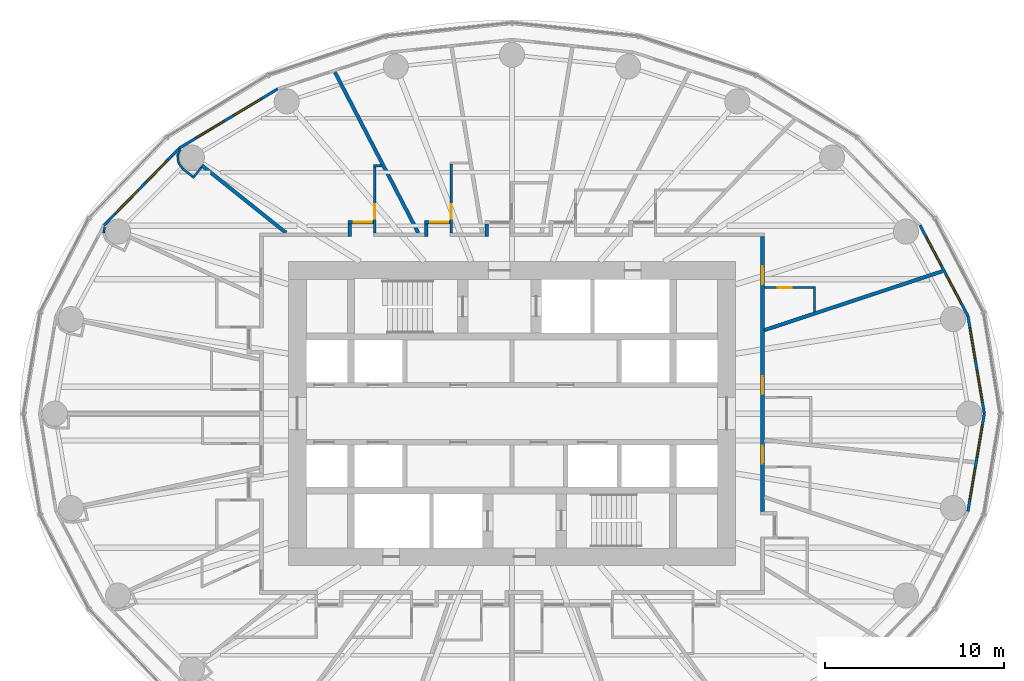
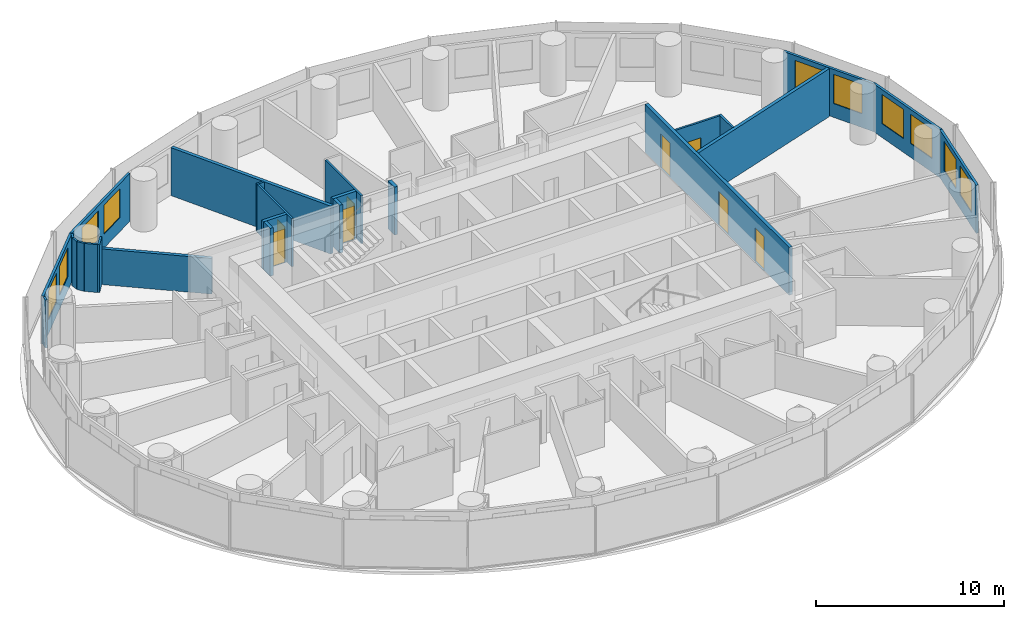
# One storey, part 11 of 14: 25 walls, 10 windows, 8 doors, 18 openings.
"""IFC4 building model written with IfcOpenShell, lengths in metres."""

from ifc_helpers import new_model, si_unit, direction, frame, frame_2d, origin, place, context, subcontext, project, spatial, rectangle, extrude, material, layer, layer_set, type_object, element, fill, save


model = new_model("IFC4")

# Units and contexts
model_context = context("Model", 3, precision=1e-05, world=origin(), true_north=direction((0.0, 1.0)))
body_context = subcontext(model_context, "Body", "Model", "MODEL_VIEW")
ifc_project = project(units=[si_unit("LENGTHUNIT", "METRE"), si_unit("AREAUNIT", "SQUARE_METRE"), si_unit("VOLUMEUNIT", "CUBIC_METRE"), si_unit("PLANEANGLEUNIT", "RADIAN"), si_unit("MASSUNIT", "GRAM", prefix="KILO")], contexts=[model_context])

# Site, building, storey
site_placement = place(None, origin())
site = spatial("IfcSite", under=ifc_project, at=site_placement, CompositionType="ELEMENT")
building_placement = place(site_placement, origin())
building = spatial("IfcBuilding", under=site, at=building_placement, Name="Hankou Lantern Tower", CompositionType="ELEMENT")
storey_placement = place(building_placement, frame((0.0, 0.0, 50.699951171875)))
storey = spatial("IfcBuildingStorey", under=building, at=storey_placement, Name="L11", CompositionType="ELEMENT", Elevation=50.699951171875)

# Wall, openings, windows
ifc_material_1 = material(Name="Aluminium spandrel panel on steel studs", Category="steel")
ifc_layer_1 = layer(ifc_material_1, 0.14990234375)
ifc_layer_set_1 = layer_set([ifc_layer_1], Name="Aluminium spandrel panel on steel studs")
wall_type_1 = type_object("IfcWallType", Name="EW1 INNER SKIN WALL 150", PredefinedType="ELEMENTEDWALL", material=ifc_layer_set_1)
wall_1_placement = place(storey_placement, frame((26.39990234375, 0.0, 0.0), z_axis=(0.0, 0.0, 1.0), x_axis=(-0.165642551694, 0.986185857264, 0.0)))
wall_1 = element("IfcWall", 1, at=wall_1_placement, inside=storey, type_object=wall_type_1, Name="Inner skin R01-R02 L11", PredefinedType="ELEMENTEDWALL", context=body_context, shape_type="SweptSolid", body=[
    extrude(rectangle(XDim=5.538818359375, YDim=0.14990234375, at=frame_2d((2.76953125, 0.0))), origin(), (0.0, 0.0, 1.0), 3.1201171875),
])
opening_1_placement = place(wall_1_placement, frame((0.66943359375, 0.0, 0.89990234375)))
opening_1 = element("IfcOpeningElement", 2, at=opening_1_placement, cuts=wall_1, Name="Opening W1", PredefinedType="OPENING", context=body_context, shape_type="SweptSolid", body=[
    extrude(rectangle(XDim=1.800048828125, YDim=1.89990234375, at=frame_2d((0.89990234375, 0.949951171875))), frame((0.0, 0.0849609375, 0.0), z_axis=(0.0, -1.0, 0.0), x_axis=(1.0, 0.0, 0.0)), (0.0, 0.0, 1.0), 0.169921875),
])
opening_2_placement = place(wall_1_placement, frame((3.069580078125, 0.0, 0.89990234375)))
opening_2 = element("IfcOpeningElement", 3, at=opening_2_placement, cuts=wall_1, Name="Opening W1", PredefinedType="OPENING", context=body_context, shape_type="SweptSolid", body=[
    extrude(rectangle(XDim=1.800048828125, YDim=1.89990234375, at=frame_2d((0.89990234375, 0.949951171875))), frame((0.0, 0.0849609375, 0.0), z_axis=(0.0, -1.0, 0.0), x_axis=(1.0, 0.0, 0.0)), (0.0, 0.0, 1.0), 0.169921875),
])
ifc_material_2 = material(Name="Aluminium framed double glazed window", Category="aluminium")
window_type = type_object("IfcWindowType", Name="W1 GUEST ROOM WINDOW 1800X1900", PartitioningType="DOUBLE_PANEL_VERTICAL", PredefinedType="WINDOW", material=ifc_material_2)
window_1_placement = place(opening_1_placement, origin())
window_1 = element("IfcWindow", 4, at=window_1_placement, inside=storey, type_object=window_type, Name="Window R01.1 L11", OverallHeight=1.89990234375, OverallWidth=1.800048828125, PartitioningType="SINGLE_PANEL", PredefinedType="WINDOW", context=body_context, shape_type="SweptSolid", body=[
    extrude(rectangle(XDim=1.800048828125, YDim=1.89990234375, at=frame_2d((0.89990234375, 0.949951171875))), frame((0.0, 0.030029296875, 0.0), z_axis=(0.0, -1.0, 0.0), x_axis=(1.0, 0.0, 0.0)), (0.0, 0.0, 1.0), 0.06005859375),
])
fill(opening_1, window_1)
window_2_placement = place(opening_2_placement, origin())
window_2 = element("IfcWindow", 5, at=window_2_placement, inside=storey, type_object=window_type, Name="Window R01.2 L11", OverallHeight=1.89990234375, OverallWidth=1.800048828125, PartitioningType="SINGLE_PANEL", PredefinedType="WINDOW", context=body_context, shape_type="SweptSolid", body=[
    extrude(rectangle(XDim=1.800048828125, YDim=1.89990234375, at=frame_2d((0.89990234375, 0.949951171875))), frame((0.0, 0.030029296875, 0.0), z_axis=(0.0, -1.0, 0.0), x_axis=(1.0, 0.0, 0.0)), (0.0, 0.0, 1.0), 0.06005859375),
])
fill(opening_2, window_2)

wall_2_placement = place(storey_placement, frame((25.482421875, 5.46240234375, 0.0), z_axis=(0.0, 0.0, 1.0), x_axis=(-0.467296867008, 0.884100468321, 0.0)))
wall_2 = element("IfcWall", 6, at=wall_2_placement, inside=storey, type_object=wall_type_1, Name="Inner skin R02-R03 L11", PredefinedType="ELEMENTEDWALL", context=body_context, shape_type="SweptSolid", body=[
    extrude(rectangle(XDim=5.734375, YDim=0.14990234375, at=frame_2d((2.8671875, 0.0))), origin(), (0.0, 0.0, 1.0), 3.1201171875),
])
opening_3_placement = place(wall_2_placement, frame((0.76708984375, 0.0, 0.89990234375)))
opening_3 = element("IfcOpeningElement", 7, at=opening_3_placement, cuts=wall_2, Name="Opening W1", PredefinedType="OPENING", context=body_context, shape_type="SweptSolid", body=[
    extrude(rectangle(XDim=1.800048828125, YDim=1.89990234375, at=frame_2d((0.89990234375, 0.949951171875))), frame((0.0, 0.0849609375, 0.0), z_axis=(0.0, -1.0, 0.0), x_axis=(1.0, 0.0, 0.0)), (0.0, 0.0, 1.0), 0.169921875),
])
opening_4_placement = place(wall_2_placement, frame((3.167236328125, 0.0, 0.89990234375)))
opening_4 = element("IfcOpeningElement", 8, at=opening_4_placement, cuts=wall_2, Name="Opening W1", PredefinedType="OPENING", context=body_context, shape_type="SweptSolid", body=[
    extrude(rectangle(XDim=1.800048828125, YDim=1.89990234375, at=frame_2d((0.89990234375, 0.949951171875))), frame((0.0, 0.0849609375, 0.0), z_axis=(0.0, -1.0, 0.0), x_axis=(1.0, 0.0, 0.0)), (0.0, 0.0, 1.0), 0.169921875),
])
window_3_placement = place(opening_3_placement, origin())
window_3 = element("IfcWindow", 9, at=window_3_placement, inside=storey, type_object=window_type, Name="Window R02.1 L11", OverallHeight=1.89990234375, OverallWidth=1.800048828125, PartitioningType="SINGLE_PANEL", PredefinedType="WINDOW", context=body_context, shape_type="SweptSolid", body=[
    extrude(rectangle(XDim=1.800048828125, YDim=1.89990234375, at=frame_2d((0.89990234375, 0.949951171875))), frame((0.0, 0.030029296875, 0.0), z_axis=(0.0, -1.0, 0.0), x_axis=(1.0, 0.0, 0.0)), (0.0, 0.0, 1.0), 0.06005859375),
])
fill(opening_3, window_3)
window_4_placement = place(opening_4_placement, origin())
window_4 = element("IfcWindow", 10, at=window_4_placement, inside=storey, type_object=window_type, Name="Window R02.2 L11", OverallHeight=1.89990234375, OverallWidth=1.800048828125, PartitioningType="SINGLE_PANEL", PredefinedType="WINDOW", context=body_context, shape_type="SweptSolid", body=[
    extrude(rectangle(XDim=1.800048828125, YDim=1.89990234375, at=frame_2d((0.89990234375, 0.949951171875))), frame((0.0, 0.030029296875, 0.0), z_axis=(0.0, -1.0, 0.0), x_axis=(1.0, 0.0, 0.0)), (0.0, 0.0, 1.0), 0.06005859375),
])
fill(opening_4, window_4)

wall_3_placement = place(storey_placement, frame((-13.096435546875, 18.14697265625, 0.0), z_axis=(0.0, 0.0, 1.0), x_axis=(-0.856983180864, -0.515344377787, 0.0)))
wall_3 = element("IfcWall", 11, at=wall_3_placement, inside=storey, type_object=wall_type_1, Name="Inner skin R09-R10 L11", PredefinedType="ELEMENTEDWALL", context=body_context, shape_type="SweptSolid", body=[
    extrude(rectangle(XDim=6.386474609375, YDim=0.14990234375, at=frame_2d((3.193359375, 0.0))), origin(), (0.0, 0.0, 1.0), 3.1201171875),
])
opening_5_placement = place(wall_3_placement, frame((1.09326171875, 0.0, 0.89990234375)))
opening_5 = element("IfcOpeningElement", 12, at=opening_5_placement, cuts=wall_3, Name="Opening W1", PredefinedType="OPENING", context=body_context, shape_type="SweptSolid", body=[
    extrude(rectangle(XDim=1.800048828125, YDim=1.89990234375, at=frame_2d((0.89990234375, 0.949951171875))), frame((0.0, 0.0849609375, 0.0), z_axis=(0.0, -1.0, 0.0), x_axis=(1.0, 0.0, 0.0)), (0.0, 0.0, 1.0), 0.169921875),
])
opening_6_placement = place(wall_3_placement, frame((3.4931640625, 0.0, 0.89990234375)))
opening_6 = element("IfcOpeningElement", 13, at=opening_6_placement, cuts=wall_3, Name="Opening W1", PredefinedType="OPENING", context=body_context, shape_type="SweptSolid", body=[
    extrude(rectangle(XDim=1.800048828125, YDim=1.89990234375, at=frame_2d((0.89990234375, 0.949951171875))), frame((0.0, 0.0849609375, 0.0), z_axis=(0.0, -1.0, 0.0), x_axis=(1.0, 0.0, 0.0)), (0.0, 0.0, 1.0), 0.169921875),
])
window_5_placement = place(opening_5_placement, origin())
window_5 = element("IfcWindow", 14, at=window_5_placement, inside=storey, type_object=window_type, Name="Window R09.1 L11", OverallHeight=1.89990234375, OverallWidth=1.800048828125, PartitioningType="SINGLE_PANEL", PredefinedType="WINDOW", context=body_context, shape_type="SweptSolid", body=[
    extrude(rectangle(XDim=1.800048828125, YDim=1.89990234375, at=frame_2d((0.89990234375, 0.949951171875))), frame((0.0, 0.030029296875, 0.0), z_axis=(0.0, -1.0, 0.0), x_axis=(1.0, 0.0, 0.0)), (0.0, 0.0, 1.0), 0.06005859375),
])
fill(opening_5, window_5)
window_6_placement = place(opening_6_placement, origin())
window_6 = element("IfcWindow", 15, at=window_6_placement, inside=storey, type_object=window_type, Name="Window R09.2 L11", OverallHeight=1.89990234375, OverallWidth=1.800048828125, PartitioningType="SINGLE_PANEL", PredefinedType="WINDOW", context=body_context, shape_type="SweptSolid", body=[
    extrude(rectangle(XDim=1.800048828125, YDim=1.89990234375, at=frame_2d((0.89990234375, 0.949951171875))), frame((0.0, 0.030029296875, 0.0), z_axis=(0.0, -1.0, 0.0), x_axis=(1.0, 0.0, 0.0)), (0.0, 0.0, 1.0), 0.06005859375),
])
fill(opening_6, window_6)

wall_4_placement = place(storey_placement, frame((-18.569580078125, 14.855712890625, 0.0), z_axis=(0.0, 0.0, 1.0), x_axis=(-0.699602905915, -0.714531856557, 0.0)))
wall_4 = element("IfcWall", 16, at=wall_4_placement, inside=storey, type_object=wall_type_1, Name="Inner skin R10-R11 L11", PredefinedType="ELEMENTEDWALL", context=body_context, shape_type="SweptSolid", body=[
    extrude(rectangle(XDim=6.05078125, YDim=0.14990234375, at=frame_2d((3.025390625, 0.0))), origin(), (0.0, 0.0, 1.0), 3.1201171875),
])
opening_7_placement = place(wall_4_placement, frame((0.925537109375, 0.0, 0.89990234375)))
opening_7 = element("IfcOpeningElement", 17, at=opening_7_placement, cuts=wall_4, Name="Opening W1", PredefinedType="OPENING", context=body_context, shape_type="SweptSolid", body=[
    extrude(rectangle(XDim=1.800048828125, YDim=1.89990234375, at=frame_2d((0.89990234375, 0.949951171875))), frame((0.0, 0.0849609375, 0.0), z_axis=(0.0, -1.0, 0.0), x_axis=(1.0, 0.0, 0.0)), (0.0, 0.0, 1.0), 0.169921875),
])
opening_8_placement = place(wall_4_placement, frame((3.325439453125, 0.0, 0.89990234375)))
opening_8 = element("IfcOpeningElement", 18, at=opening_8_placement, cuts=wall_4, Name="Opening W1", PredefinedType="OPENING", context=body_context, shape_type="SweptSolid", body=[
    extrude(rectangle(XDim=1.800048828125, YDim=1.89990234375, at=frame_2d((0.89990234375, 0.949951171875))), frame((0.0, 0.0849609375, 0.0), z_axis=(0.0, -1.0, 0.0), x_axis=(1.0, 0.0, 0.0)), (0.0, 0.0, 1.0), 0.169921875),
])
window_7_placement = place(opening_7_placement, origin())
window_7 = element("IfcWindow", 19, at=window_7_placement, inside=storey, type_object=window_type, Name="Window R10.1 L11", OverallHeight=1.89990234375, OverallWidth=1.800048828125, PartitioningType="SINGLE_PANEL", PredefinedType="WINDOW", context=body_context, shape_type="SweptSolid", body=[
    extrude(rectangle(XDim=1.800048828125, YDim=1.89990234375, at=frame_2d((0.89990234375, 0.949951171875))), frame((0.0, 0.030029296875, 0.0), z_axis=(0.0, -1.0, 0.0), x_axis=(1.0, 0.0, 0.0)), (0.0, 0.0, 1.0), 0.06005859375),
])
fill(opening_7, window_7)
window_8_placement = place(opening_8_placement, origin())
window_8 = element("IfcWindow", 20, at=window_8_placement, inside=storey, type_object=window_type, Name="Window R10.2 L11", OverallHeight=1.89990234375, OverallWidth=1.800048828125, PartitioningType="SINGLE_PANEL", PredefinedType="WINDOW", context=body_context, shape_type="SweptSolid", body=[
    extrude(rectangle(XDim=1.800048828125, YDim=1.89990234375, at=frame_2d((0.89990234375, 0.949951171875))), frame((0.0, 0.030029296875, 0.0), z_axis=(0.0, -1.0, 0.0), x_axis=(1.0, 0.0, 0.0)), (0.0, 0.0, 1.0), 0.06005859375),
])
fill(opening_8, window_8)

wall_5_placement = place(storey_placement, frame((25.482421875, -5.46240234375, 0.0), z_axis=(0.0, 0.0, 1.0), x_axis=(0.165642551694, 0.986185857264, 0.0)))
wall_5 = element("IfcWall", 21, at=wall_5_placement, inside=storey, type_object=wall_type_1, Name="Inner skin R24-R01 L11", PredefinedType="ELEMENTEDWALL", context=body_context, shape_type="SweptSolid", body=[
    extrude(rectangle(XDim=5.538818359375, YDim=0.14990234375, at=frame_2d((2.76953125, 0.0))), origin(), (0.0, 0.0, 1.0), 3.1201171875),
])
opening_9_placement = place(wall_5_placement, frame((0.66943359375, 0.0, 0.89990234375)))
opening_9 = element("IfcOpeningElement", 22, at=opening_9_placement, cuts=wall_5, Name="Opening W1", PredefinedType="OPENING", context=body_context, shape_type="SweptSolid", body=[
    extrude(rectangle(XDim=1.800048828125, YDim=1.89990234375, at=frame_2d((0.89990234375, 0.949951171875))), frame((0.0, 0.0849609375, 0.0), z_axis=(0.0, -1.0, 0.0), x_axis=(1.0, 0.0, 0.0)), (0.0, 0.0, 1.0), 0.169921875),
])
opening_10_placement = place(wall_5_placement, frame((3.069580078125, 0.0, 0.89990234375)))
opening_10 = element("IfcOpeningElement", 23, at=opening_10_placement, cuts=wall_5, Name="Opening W1", PredefinedType="OPENING", context=body_context, shape_type="SweptSolid", body=[
    extrude(rectangle(XDim=1.800048828125, YDim=1.89990234375, at=frame_2d((0.89990234375, 0.949951171875))), frame((0.0, 0.0849609375, 0.0), z_axis=(0.0, -1.0, 0.0), x_axis=(1.0, 0.0, 0.0)), (0.0, 0.0, 1.0), 0.169921875),
])
window_9_placement = place(opening_9_placement, origin())
window_9 = element("IfcWindow", 24, at=window_9_placement, inside=storey, type_object=window_type, Name="Window R24.1 L11", OverallHeight=1.89990234375, OverallWidth=1.800048828125, PartitioningType="SINGLE_PANEL", PredefinedType="WINDOW", context=body_context, shape_type="SweptSolid", body=[
    extrude(rectangle(XDim=1.800048828125, YDim=1.89990234375, at=frame_2d((0.89990234375, 0.949951171875))), frame((0.0, 0.030029296875, 0.0), z_axis=(0.0, -1.0, 0.0), x_axis=(1.0, 0.0, 0.0)), (0.0, 0.0, 1.0), 0.06005859375),
])
fill(opening_9, window_9)
window_10_placement = place(opening_10_placement, origin())
window_10 = element("IfcWindow", 25, at=window_10_placement, inside=storey, type_object=window_type, Name="Window R24.2 L11", OverallHeight=1.89990234375, OverallWidth=1.800048828125, PartitioningType="SINGLE_PANEL", PredefinedType="WINDOW", context=body_context, shape_type="SweptSolid", body=[
    extrude(rectangle(XDim=1.800048828125, YDim=1.89990234375, at=frame_2d((0.89990234375, 0.949951171875))), frame((0.0, 0.030029296875, 0.0), z_axis=(0.0, -1.0, 0.0), x_axis=(1.0, 0.0, 0.0)), (0.0, 0.0, 1.0), 0.06005859375),
])
fill(opening_10, window_10)

# Walls
ifc_material_3 = material(Name="Masonry lightweight concrete block", Category="masonry")
ifc_layer_2 = layer(ifc_material_3, 0.199951171875)
ifc_layer_set_2 = layer_set([ifc_layer_2], Name="Masonry lightweight concrete block")
wall_type_2 = type_object("IfcWallType", Name="IW1 GUEST ROOM PARTY WALL 200", PredefinedType="PARTITIONING", material=ifc_layer_set_2)
wall_6_placement = place(storey_placement, frame((14.10009765625, 4.6630859375, 0.0), z_axis=(0.0, 0.0, 1.0), x_axis=(0.949432655039, 0.31397075269, 0.0)))
element("IfcWall", 26, at=wall_6_placement, inside=storey, type_object=wall_type_2, Name="Party wall R02-R03", PredefinedType="PARTITIONING", context=body_context, shape_type="SweptSolid", body=[
    extrude(rectangle(XDim=10.48583984375, YDim=0.199951171875, at=frame_2d((5.242919921875, 0.0))), origin(), (0.0, 0.0, 1.0), 3.1201171875),
])
wall_7_placement = place(storey_placement, frame((-5.238525390625, 10.10009765625, 0.0), z_axis=(0.0, 0.0, 1.0), x_axis=(-0.460422783389, 0.887699758103, 0.0)))
element("IfcWall", 27, at=wall_7_placement, inside=storey, type_object=wall_type_2, Name="Party wall R08-R09", PredefinedType="PARTITIONING", context=body_context, shape_type="SweptSolid", body=[
    extrude(rectangle(XDim=10.120361328125, YDim=0.199951171875, at=frame_2d((5.06005859375, 0.0))), origin(), (0.0, 0.0, 1.0), 3.1201171875),
])
ifc_material_4 = material(Name="Masonry lightweight concrete block", Category="masonry")
ifc_layer_3 = layer(ifc_material_4, 0.199951171875)
ifc_layer_set_3 = layer_set([ifc_layer_3], Name="Masonry lightweight concrete block")
wall_type_3 = type_object("IfcWallType", Name="IW2 CORRIDOR WALL 200", PredefinedType="PARTITIONING", material=ifc_layer_set_3)
wall_8_placement = place(storey_placement, frame((-1.4150390625, 9.89990234375, 0.0), z_axis=(0.0, 0.0, 1.0), x_axis=(0.0, 1.0, 0.0)))
element("IfcWall", 28, at=wall_8_placement, inside=storey, type_object=wall_type_3, Name="Corridor recess wall 1103 side", PredefinedType="PARTITIONING", context=body_context, shape_type="SweptSolid", body=[
    extrude(rectangle(XDim=0.7001953125, YDim=0.199951171875, at=frame_2d((0.35009765625, 0.0))), origin(), (0.0, 0.0, 1.0), 3.1201171875),
])

# Wall, opening, door
wall_9_placement = place(storey_placement, frame((-4.89501953125, 10.699951171875, 0.0), z_axis=(0.0, 0.0, 1.0), x_axis=(1.0, 0.0, 0.0)))
wall_9 = element("IfcWall", 29, at=wall_9_placement, inside=storey, type_object=wall_type_3, Name="Corridor recess wall 1104 back", PredefinedType="PARTITIONING", context=body_context, shape_type="SweptSolid", body=[
    extrude(rectangle(XDim=1.43994140625, YDim=0.199951171875, at=frame_2d((0.719970703125, 0.0))), origin(), (0.0, 0.0, 1.0), 3.1201171875),
])
opening_11_placement = place(wall_9_placement, frame((0.320068359375, 0.0, 0.0)))
opening_11 = element("IfcOpeningElement", 30, at=opening_11_placement, cuts=wall_9, Name="Opening D1", PredefinedType="OPENING", context=body_context, shape_type="SweptSolid", body=[
    extrude(rectangle(XDim=1.0, YDim=2.199951171875, at=frame_2d((0.5, 1.10009765625))), frame((0.0, 0.10986328125, 0.0), z_axis=(0.0, -1.0, 0.0), x_axis=(1.0, 0.0, 0.0)), (0.0, 0.0, 1.0), 0.219970703125),
])
ifc_material_5 = material(Name="Steel door leaf", Category="steel")
door_type_1 = type_object("IfcDoorType", Name="D1 GUEST ROOM DOOR 1000X2200", OperationType="SINGLE_SWING_LEFT", PredefinedType="DOOR", material=ifc_material_5)
door_1_placement = place(opening_11_placement, origin())
door_1 = element("IfcDoor", 31, at=door_1_placement, inside=storey, type_object=door_type_1, Name="Guest room door 1104", OperationType="SINGLE_SWING_RIGHT", OverallHeight=2.199951171875, OverallWidth=1.0, PredefinedType="DOOR", context=body_context, shape_type="SweptSolid", body=[
    extrude(rectangle(XDim=1.0, YDim=2.199951171875, at=frame_2d((0.5, 1.10009765625))), frame((0.0, 0.02490234375, 0.0), z_axis=(0.0, -1.0, 0.0), x_axis=(1.0, 0.0, 0.0)), (0.0, 0.0, 1.0), 0.050048828125),
])
fill(opening_11, door_1)

# Wall
wall_10_placement = place(storey_placement, frame((-4.794921875, 9.89990234375, 0.0), z_axis=(0.0, 0.0, 1.0), x_axis=(0.0, 1.0, 0.0)))
element("IfcWall", 32, at=wall_10_placement, inside=storey, type_object=wall_type_3, Name="Corridor recess wall 1104 side", PredefinedType="PARTITIONING", context=body_context, shape_type="SweptSolid", body=[
    extrude(rectangle(XDim=0.7001953125, YDim=0.199951171875, at=frame_2d((0.35009765625, 0.0))), origin(), (0.0, 0.0, 1.0), 3.1201171875),
])

# Wall, opening, door
wall_11_placement = place(storey_placement, frame((-9.168701171875, 10.699951171875, 0.0), z_axis=(0.0, 0.0, 1.0), x_axis=(1.0, 0.0, 0.0)))
wall_11 = element("IfcWall", 33, at=wall_11_placement, inside=storey, type_object=wall_type_3, Name="Corridor recess wall 1105 back", PredefinedType="PARTITIONING", context=body_context, shape_type="SweptSolid", body=[
    extrude(rectangle(XDim=1.440185546875, YDim=0.199951171875, at=frame_2d((0.72021484375, 0.0))), origin(), (0.0, 0.0, 1.0), 3.1201171875),
])
opening_12_placement = place(wall_11_placement, frame((0.320068359375, 0.0, 0.0)))
opening_12 = element("IfcOpeningElement", 34, at=opening_12_placement, cuts=wall_11, Name="Opening D1", PredefinedType="OPENING", context=body_context, shape_type="SweptSolid", body=[
    extrude(rectangle(XDim=1.0, YDim=2.199951171875, at=frame_2d((0.5, 1.10009765625))), frame((0.0, 0.10986328125, 0.0), z_axis=(0.0, -1.0, 0.0), x_axis=(1.0, 0.0, 0.0)), (0.0, 0.0, 1.0), 0.219970703125),
])
door_2_placement = place(opening_12_placement, origin())
door_2 = element("IfcDoor", 35, at=door_2_placement, inside=storey, type_object=door_type_1, Name="Guest room door 1105", OperationType="SINGLE_SWING_RIGHT", OverallHeight=2.199951171875, OverallWidth=1.0, PredefinedType="DOOR", context=body_context, shape_type="SweptSolid", body=[
    extrude(rectangle(XDim=1.0, YDim=2.199951171875, at=frame_2d((0.5, 1.10009765625))), frame((0.0, 0.02490234375, 0.0), z_axis=(0.0, -1.0, 0.0), x_axis=(1.0, 0.0, 0.0)), (0.0, 0.0, 1.0), 0.050048828125),
])
fill(opening_12, door_2)

# Wall
wall_12_placement = place(storey_placement, frame((-9.068603515625, 9.89990234375, 0.0), z_axis=(0.0, 0.0, 1.0), x_axis=(0.0, 1.0, 0.0)))
element("IfcWall", 36, at=wall_12_placement, inside=storey, type_object=wall_type_3, Name="Corridor recess wall 1105 side", PredefinedType="PARTITIONING", context=body_context, shape_type="SweptSolid", body=[
    extrude(rectangle(XDim=0.7001953125, YDim=0.199951171875, at=frame_2d((0.35009765625, 0.0))), origin(), (0.0, 0.0, 1.0), 3.1201171875),
])

# Wall, openings, doors
wall_13_placement = place(storey_placement, frame((14.0, -5.458984375, 0.0), z_axis=(0.0, 0.0, 1.0), x_axis=(0.0, 1.0, 0.0)))
wall_13 = element("IfcWall", 37, at=wall_13_placement, inside=storey, type_object=wall_type_3, Name="Corridor wall east", PredefinedType="PARTITIONING", context=body_context, shape_type="SweptSolid", body=[
    extrude(rectangle(XDim=15.35888671875, YDim=0.199951171875, at=frame_2d((7.679443359375, 0.0))), origin(), (0.0, 0.0, 1.0), 3.1201171875),
])
opening_13_placement = place(wall_13_placement, frame((2.656005859375, 0.0, 0.0)))
opening_13 = element("IfcOpeningElement", 38, at=opening_13_placement, cuts=wall_13, Name="Opening D1", PredefinedType="OPENING", context=body_context, shape_type="SweptSolid", body=[
    extrude(rectangle(XDim=1.0, YDim=2.199951171875, at=frame_2d((0.5, 1.10009765625))), frame((0.0, 0.10986328125, 0.0), z_axis=(0.0, -1.0, 0.0), x_axis=(1.0, 0.0, 0.0)), (0.0, 0.0, 1.0), 0.219970703125),
])
opening_14_placement = place(wall_13_placement, frame((6.537109375, 0.0, 0.0)))
opening_14 = element("IfcOpeningElement", 39, at=opening_14_placement, cuts=wall_13, Name="Opening D2", PredefinedType="OPENING", context=body_context, shape_type="SweptSolid", body=[
    extrude(rectangle(XDim=1.0, YDim=2.199951171875, at=frame_2d((0.5, 1.10009765625))), frame((0.0, 0.10986328125, 0.0), z_axis=(0.0, -1.0, 0.0), x_axis=(1.0, 0.0, 0.0)), (0.0, 0.0, 1.0), 0.219970703125),
])
opening_15_placement = place(wall_13_placement, frame((12.681884765625, 0.0, 0.0)))
opening_15 = element("IfcOpeningElement", 40, at=opening_15_placement, cuts=wall_13, Name="Opening D2", PredefinedType="OPENING", context=body_context, shape_type="SweptSolid", body=[
    extrude(rectangle(XDim=1.0, YDim=2.199951171875, at=frame_2d((0.5, 1.10009765625))), frame((0.0, 0.10986328125, 0.0), z_axis=(0.0, -1.0, 0.0), x_axis=(1.0, 0.0, 0.0)), (0.0, 0.0, 1.0), 0.219970703125),
])
door_3_placement = place(opening_13_placement, origin())
door_3 = element("IfcDoor", 41, at=door_3_placement, inside=storey, type_object=door_type_1, Name="Guest room door 1119", OperationType="SINGLE_SWING_RIGHT", OverallHeight=2.199951171875, OverallWidth=1.0, PredefinedType="DOOR", context=body_context, shape_type="SweptSolid", body=[
    extrude(rectangle(XDim=1.0, YDim=2.199951171875, at=frame_2d((0.5, 1.10009765625))), frame((0.0, 0.02490234375, 0.0), z_axis=(0.0, -1.0, 0.0), x_axis=(1.0, 0.0, 0.0)), (0.0, 0.0, 1.0), 0.050048828125),
])
fill(opening_13, door_3)
ifc_material_6 = material(Name="Steel door leaf", Category="steel")
door_type_2 = type_object("IfcDoorType", Name="D2 SUITE DOOR 1000X2200", OperationType="SINGLE_SWING_LEFT", PredefinedType="DOOR", material=ifc_material_6)
door_4_placement = place(opening_14_placement, origin())
door_4 = element("IfcDoor", 42, at=door_4_placement, inside=storey, type_object=door_type_2, Name="Suite door 1120", OperationType="SINGLE_SWING_RIGHT", OverallHeight=2.199951171875, OverallWidth=1.0, PredefinedType="DOOR", context=body_context, shape_type="SweptSolid", body=[
    extrude(rectangle(XDim=1.0, YDim=2.199951171875, at=frame_2d((0.5, 1.10009765625))), frame((0.0, 0.02490234375, 0.0), z_axis=(0.0, -1.0, 0.0), x_axis=(1.0, 0.0, 0.0)), (0.0, 0.0, 1.0), 0.050048828125),
])
fill(opening_14, door_4)
door_5_placement = place(opening_15_placement, origin())
door_5 = element("IfcDoor", 43, at=door_5_placement, inside=storey, type_object=door_type_2, Name="Suite door 1121", OperationType="SINGLE_SWING_RIGHT", OverallHeight=2.199951171875, OverallWidth=1.0, PredefinedType="DOOR", context=body_context, shape_type="SweptSolid", body=[
    extrude(rectangle(XDim=1.0, YDim=2.199951171875, at=frame_2d((0.5, 1.10009765625))), frame((0.0, 0.02490234375, 0.0), z_axis=(0.0, -1.0, 0.0), x_axis=(1.0, 0.0, 0.0)), (0.0, 0.0, 1.0), 0.050048828125),
])
fill(opening_15, door_5)

# Wall, opening, door
ifc_material_7 = material(Name="Masonry lightweight concrete block", Category="masonry")
ifc_layer_4 = layer(ifc_material_7, 0.1201171875)
ifc_layer_set_4 = layer_set([ifc_layer_4], Name="Masonry lightweight concrete block")
wall_type_4 = type_object("IfcWallType", Name="IW3 BATHROOM WALL 120", PredefinedType="PARTITIONING", material=ifc_layer_set_4)
wall_14_placement = place(storey_placement, frame((-3.39501953125, 10.10009765625, 0.0), z_axis=(0.0, 0.0, 1.0), x_axis=(0.0, 1.0, 0.0)))
wall_14 = element("IfcWall", 44, at=wall_14_placement, inside=storey, type_object=wall_type_4, Name="Box wall 1104 1", PredefinedType="PARTITIONING", context=body_context, shape_type="SweptSolid", body=[
    extrude(rectangle(XDim=3.83984375, YDim=0.1201171875, at=frame_2d((1.919921875, 0.0))), origin(), (0.0, 0.0, 1.0), 3.1201171875),
])
opening_16_placement = place(wall_14_placement, frame((0.800048828125, 0.0, 0.0)))
opening_16 = element("IfcOpeningElement", 45, at=opening_16_placement, cuts=wall_14, Name="Opening D3", PredefinedType="OPENING", context=body_context, shape_type="SweptSolid", body=[
    extrude(rectangle(XDim=0.800048828125, YDim=2.10009765625, at=frame_2d((0.39990234375, 1.050048828125))), frame((0.0, 0.070068359375, 0.0), z_axis=(0.0, -1.0, 0.0), x_axis=(1.0, 0.0, 0.0)), (0.0, 0.0, 1.0), 0.14013671875),
])
ifc_material_8 = material(Name="Timber door leaf", Category="wood")
door_type_3 = type_object("IfcDoorType", Name="D3 BATHROOM DOOR 800X2100", OperationType="SINGLE_SWING_LEFT", PredefinedType="DOOR", material=ifc_material_8)
door_6_placement = place(opening_16_placement, origin())
door_6 = element("IfcDoor", 46, at=door_6_placement, inside=storey, type_object=door_type_3, Name="En-suite bathroom 1104 door", OperationType="SINGLE_SWING_LEFT", OverallHeight=2.10009765625, OverallWidth=0.800048828125, PredefinedType="DOOR", context=body_context, shape_type="SweptSolid", body=[
    extrude(rectangle(XDim=0.800048828125, YDim=2.10009765625, at=frame_2d((0.39990234375, 1.050048828125))), frame((0.0, 0.02490234375, 0.0), z_axis=(0.0, -1.0, 0.0), x_axis=(1.0, 0.0, 0.0)), (0.0, 0.0, 1.0), 0.050048828125),
])
fill(opening_16, door_6)

# Wall
wall_15_placement = place(storey_placement, frame((-7.28369140625, 13.85009765625, 0.0), z_axis=(0.0, 0.0, 1.0), x_axis=(-1.0, 0.0, 0.0)))
element("IfcWall", 47, at=wall_15_placement, inside=storey, type_object=wall_type_4, Name="Box wall 1105 1", PredefinedType="PARTITIONING", context=body_context, shape_type="SweptSolid", body=[
    extrude(rectangle(XDim=0.44482421875, YDim=0.1201171875, at=frame_2d((0.222412109375, 0.0))), origin(), (0.0, 0.0, 1.0), 3.1201171875),
])

# Wall, opening, door
wall_16_placement = place(storey_placement, frame((-7.668701171875, 10.10009765625, 0.0), z_axis=(0.0, 0.0, 1.0), x_axis=(0.0, 1.0, 0.0)))
wall_16 = element("IfcWall", 48, at=wall_16_placement, inside=storey, type_object=wall_type_4, Name="Box wall 1105 1", PredefinedType="PARTITIONING", context=body_context, shape_type="SweptSolid", body=[
    extrude(rectangle(XDim=3.68994140625, YDim=0.1201171875, at=frame_2d((1.844970703125, 0.0))), origin(), (0.0, 0.0, 1.0), 3.1201171875),
])
opening_17_placement = place(wall_16_placement, frame((0.800048828125, 0.0, 0.0)))
opening_17 = element("IfcOpeningElement", 49, at=opening_17_placement, cuts=wall_16, Name="Opening D3", PredefinedType="OPENING", context=body_context, shape_type="SweptSolid", body=[
    extrude(rectangle(XDim=0.800048828125, YDim=2.10009765625, at=frame_2d((0.39990234375, 1.050048828125))), frame((0.0, 0.070068359375, 0.0), z_axis=(0.0, -1.0, 0.0), x_axis=(1.0, 0.0, 0.0)), (0.0, 0.0, 1.0), 0.14013671875),
])
door_7_placement = place(opening_17_placement, origin())
door_7 = element("IfcDoor", 50, at=door_7_placement, inside=storey, type_object=door_type_3, Name="En-suite bathroom 1105 door", OperationType="SINGLE_SWING_LEFT", OverallHeight=2.10009765625, OverallWidth=0.800048828125, PredefinedType="DOOR", context=body_context, shape_type="SweptSolid", body=[
    extrude(rectangle(XDim=0.800048828125, YDim=2.10009765625, at=frame_2d((0.39990234375, 1.050048828125))), frame((0.0, 0.02490234375, 0.0), z_axis=(0.0, -1.0, 0.0), x_axis=(1.0, 0.0, 0.0)), (0.0, 0.0, 1.0), 0.050048828125),
])
fill(opening_17, door_7)

# Wall
wall_17_placement = place(storey_placement, frame((16.89990234375, 5.68896484375, 0.0), z_axis=(0.0, 0.0, 1.0), x_axis=(0.0, 1.0, 0.0)))
element("IfcWall", 51, at=wall_17_placement, inside=storey, type_object=wall_type_4, Name="Box wall 1121 1", PredefinedType="PARTITIONING", context=body_context, shape_type="SweptSolid", body=[
    extrude(rectangle(XDim=1.4140625, YDim=0.1201171875, at=frame_2d((0.70703125, 0.0))), origin(), (0.0, 0.0, 1.0), 3.1201171875),
])

# Wall, opening, door
wall_18_placement = place(storey_placement, frame((14.10009765625, 7.04296875, 0.0), z_axis=(0.0, 0.0, 1.0), x_axis=(1.0, 0.0, 0.0)))
wall_18 = element("IfcWall", 52, at=wall_18_placement, inside=storey, type_object=wall_type_4, Name="Box wall 1121 1", PredefinedType="PARTITIONING", context=body_context, shape_type="SweptSolid", body=[
    extrude(rectangle(XDim=2.739990234375, YDim=0.1201171875, at=frame_2d((1.3701171875, 0.0))), origin(), (0.0, 0.0, 1.0), 3.1201171875),
])
opening_18_placement = place(wall_18_placement, frame((0.75, 0.0, 0.0)))
opening_18 = element("IfcOpeningElement", 53, at=opening_18_placement, cuts=wall_18, Name="Opening D3", PredefinedType="OPENING", context=body_context, shape_type="SweptSolid", body=[
    extrude(rectangle(XDim=0.800048828125, YDim=2.10009765625, at=frame_2d((0.39990234375, 1.050048828125))), frame((0.0, 0.070068359375, 0.0), z_axis=(0.0, -1.0, 0.0), x_axis=(1.0, 0.0, 0.0)), (0.0, 0.0, 1.0), 0.14013671875),
])
door_8_placement = place(opening_18_placement, origin())
door_8 = element("IfcDoor", 54, at=door_8_placement, inside=storey, type_object=door_type_3, Name="Junior suite 1121 bathroom door", OperationType="SINGLE_SWING_LEFT", OverallHeight=2.10009765625, OverallWidth=0.800048828125, PredefinedType="DOOR", context=body_context, shape_type="SweptSolid", body=[
    extrude(rectangle(XDim=0.800048828125, YDim=2.10009765625, at=frame_2d((0.39990234375, 1.050048828125))), frame((0.0, 0.02490234375, 0.0), z_axis=(0.0, -1.0, 0.0), x_axis=(1.0, 0.0, 0.0)), (0.0, 0.0, 1.0), 0.050048828125),
])
fill(opening_18, door_8)

# Walls
ifc_material_9 = material(Name="Masonry lightweight concrete block", Category="masonry")
ifc_layer_5 = layer(ifc_material_9, 0.1201171875)
ifc_layer_set_5 = layer_set([ifc_layer_5], Name="Masonry lightweight concrete block")
wall_type_5 = type_object("IfcWallType", Name="IW4 PARTITION 120", PredefinedType="PARTITIONING", material=ifc_layer_set_5)
wall_19_placement = place(storey_placement, frame((-17.36083984375, 13.760498046875, 0.0), z_axis=(0.0, 0.0, 1.0), x_axis=(-0.624501042889, -0.781023973659, 0.0)))
element("IfcWall", 55, at=wall_19_placement, inside=storey, type_object=wall_type_5, Name="Column casing R10 return", PredefinedType="PARTITIONING", context=body_context, shape_type="SweptSolid", body=[
    extrude(rectangle(XDim=0.767333984375, YDim=0.1201171875, at=frame_2d((0.3837890625, 0.0))), origin(), (0.0, 0.0, 1.0), 3.1201171875),
])
wall_20_placement = place(storey_placement, frame((-17.849609375, 13.24560546875, 0.0), z_axis=(0.0, 0.0, 1.0), x_axis=(-0.780902834923, 0.62465251333, 0.0)))
element("IfcWall", 56, at=wall_20_placement, inside=storey, type_object=wall_type_5, Name="Column casing R10", PredefinedType="PARTITIONING", context=body_context, shape_type="SweptSolid", body=[
    extrude(rectangle(XDim=0.699951171875, YDim=0.1201171875, at=frame_2d((0.35009765625, 0.0))), origin(), (0.0, 0.0, 1.0), 3.1201171875),
])
for number, where, z_axis, x_axis, name in (
    (57, (-18.396240234375, 13.682861328125, 0.0), (0.0, 0.0, 1.0), (-0.592401603461, 0.805642811807, 0.0), "Column casing R10"),
    (58, (-18.643798828125, 14.01953125, 0.0), (0.0, 0.0, 1.0), (-0.110367433259, 0.993890854006, 0.0), "Column casing R10"),
):
    element("IfcWall", number, at=place(storey_placement, frame(where, z_axis=z_axis, x_axis=x_axis)), inside=storey, type_object=wall_type_5, Name=name, PredefinedType="PARTITIONING", context=body_context, shape_type="SweptSolid", body=[
        extrude(rectangle(XDim=0.41796875, YDim=0.1201171875, at=frame_2d((0.208984375, 0.0))), origin(), (0.0, 0.0, 1.0), 3.1201171875),
    ])
wall_21_placement = place(storey_placement, frame((-18.68994140625, 14.43505859375, 0.0), z_axis=(0.0, 0.0, 1.0), x_axis=(0.401093412634, 0.91603715773, 0.0)))
element("IfcWall", 59, at=wall_21_placement, inside=storey, type_object=wall_type_5, Name="Column casing R10", PredefinedType="PARTITIONING", context=body_context, shape_type="SweptSolid", body=[
    extrude(rectangle(XDim=0.373046875, YDim=0.1201171875, at=frame_2d((0.1865234375, 0.0))), origin(), (0.0, 0.0, 1.0), 3.1201171875),
])
wall_22_placement = place(storey_placement, frame((-22.8232421875, 10.096923828125, 0.0), z_axis=(0.0, 0.0, 1.0), x_axis=(0.169674995186, 0.985500074079, 0.0)))
element("IfcWall", 60, at=wall_22_placement, inside=storey, type_object=wall_type_5, Name="Column casing R11", PredefinedType="PARTITIONING", context=body_context, shape_type="SweptSolid", body=[
    extrude(rectangle(XDim=0.3525390625, YDim=0.1201171875, at=frame_2d((0.17626953125, 0.0))), origin(), (0.0, 0.0, 1.0), 3.1201171875),
])
ifc_material_10 = material(Name="Masonry lightweight concrete block", Category="masonry")
ifc_layer_6 = layer(ifc_material_10, 0.199951171875)
ifc_layer_set_6 = layer_set([ifc_layer_6], Name="Masonry lightweight concrete block")
wall_type_6 = type_object("IfcWallType", Name="IW8 PARTITION 200", PredefinedType="PARTITIONING", material=ifc_layer_set_6)
wall_23_placement = place(storey_placement, frame((-12.625, 10.10009765625, 0.0), z_axis=(0.0, 0.0, 1.0), x_axis=(-0.780892451574, 0.624665493744, 0.0)))
element("IfcWall", 61, at=wall_23_placement, inside=storey, type_object=wall_type_6, Name="Partition R10", PredefinedType="PARTITIONING", context=body_context, shape_type="SweptSolid", body=[
    extrude(rectangle(XDim=6.044677734375, YDim=0.199951171875, at=frame_2d((3.0224609375, 0.0))), origin(), (0.0, 0.0, 1.0), 2.320068359375),
])

save(model, "model.ifc")
